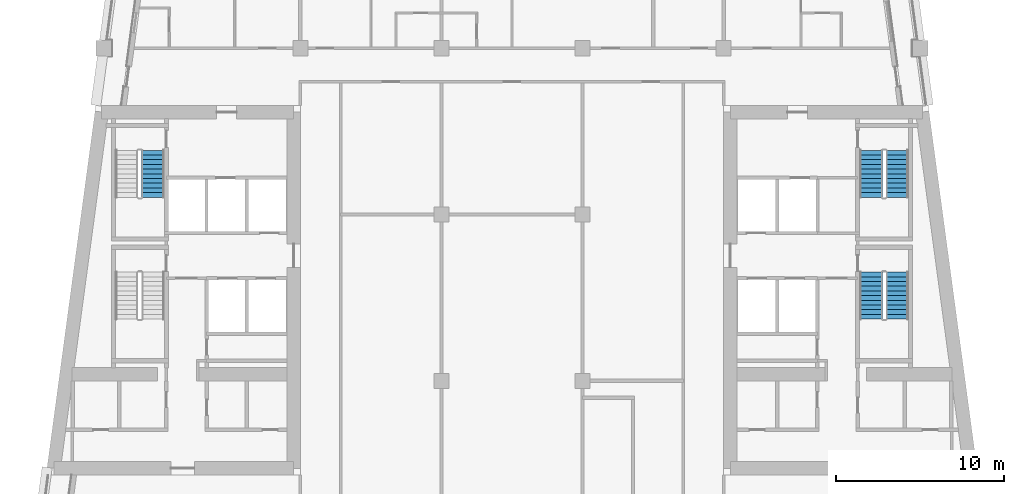
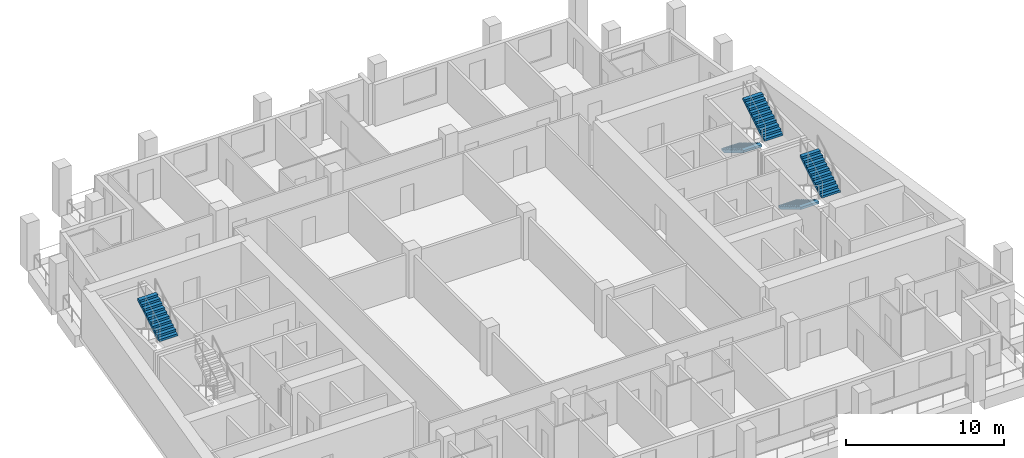
# One storey, part 8 of 13: 5 stair flights, 3 elements without a shape of their own.
"""IFC4 building model written with IfcOpenShell, lengths in metres."""

import ifcopenshell
import ifcopenshell.guid

model = None  # the IFC model being written
_history = None  # IfcOwnerHistory: only IFC2X3 demands one
_inside = {}  # id of a spatial element -> (the spatial element, [elements in it])
_under = {}  # id of a project, library or spatial element -> (it, [spatial elements below it])
_declared = {}  # id of a project -> (the project, [libraries it declares])
_typed = {}  # id of a type object -> (the type object, [elements of that type])
_made_of = {}  # id of a material, layer set ... -> (it, [elements and type objects made of it])


def new_model(schema):
    """Start an empty IFC model of exactly this schema.

    Asked for "IFC4X3", IfcOpenShell would pick the latest addendum, in which some entities
    have other attributes; the version numbers below select the first issue.
    IFC2X3 requires an IfcOwnerHistory on every rooted entity: one is made here for all.
    """
    global model, _history
    if schema == "IFC4X3":
        model = ifcopenshell.file(schema_version=(4, 3, 0, 0))
    else:
        model = ifcopenshell.file(schema=schema)
    _inside.clear()
    _under.clear()
    _declared.clear()
    _typed.clear()
    _made_of.clear()
    _history = None
    if model.schema == "IFC2X3":
        org = make("IfcOrganization", Name="unknown")
        user = make(
            "IfcPersonAndOrganization",
            ThePerson=make("IfcPerson", FamilyName="unknown"),
            TheOrganization=org,
        )
        app = make(
            "IfcApplication",
            ApplicationDeveloper=org,
            Version="unknown",
            ApplicationFullName="unknown",
            ApplicationIdentifier="unknown",
        )
        _history = make(
            "IfcOwnerHistory",
            OwningUser=user,
            OwningApplication=app,
            ChangeAction="ADDED",
            CreationDate=0,
        )
    return model


def make(cls, **values):
    """One entity of the class cls with the attributes given. An attribute that is None is left unset."""
    return model.create_entity(
        cls, **{name: value for name, value in values.items() if value is not None}
    )


def rooted(cls, **values):
    """An entity with a GlobalId (a new one), such as an element, a storey or a relation."""
    return make(cls, GlobalId=ifcopenshell.guid.new(), OwnerHistory=_history, **values)


def si_unit(unit_type, name, prefix=None):
    """IfcSIUnit, for example si_unit("LENGTHUNIT", "METRE", prefix="MILLI")."""
    return make("IfcSIUnit", UnitType=unit_type, Prefix=prefix, Name=name)


def assignment(units):
    """IfcUnitAssignment: the units of a project."""
    return None if units is None else make("IfcUnitAssignment", Units=units)


def point(xyz):
    """IfcCartesianPoint."""
    return None if xyz is None else make("IfcCartesianPoint", Coordinates=xyz)


def direction(xyz):
    """IfcDirection."""
    return None if xyz is None else make("IfcDirection", DirectionRatios=xyz)


def frame(location, z_axis=None, x_axis=None):
    """IfcAxis2Placement3D, a coordinate frame: its origin and axes. An axis left out is left unset."""
    return make(
        "IfcAxis2Placement3D",
        Location=point(location),
        Axis=direction(z_axis),
        RefDirection=direction(x_axis),
    )


def origin():
    """The frame at (0, 0, 0) with its axes left unset."""
    return frame((0.0, 0.0, 0.0))


def place(relative_to, where):
    """IfcLocalPlacement: puts the frame where relative to a parent placement (None: the world)."""
    return make(
        "IfcLocalPlacement", PlacementRelTo=relative_to, RelativePlacement=where
    )


def context(
    kind, dimensions, precision=None, world=None, true_north=None, identifier=None
):
    """IfcGeometricRepresentationContext, for example the 3D "Model" context."""
    return make(
        "IfcGeometricRepresentationContext",
        ContextIdentifier=identifier,
        ContextType=kind,
        CoordinateSpaceDimension=dimensions,
        Precision=precision,
        WorldCoordinateSystem=world,
        TrueNorth=true_north,
    )


def subcontext(parent, identifier, kind, view, scale=None):
    """IfcGeometricRepresentationSubContext, for example "Body" below "Model"."""
    return make(
        "IfcGeometricRepresentationSubContext",
        ContextIdentifier=identifier,
        ContextType=kind,
        ParentContext=parent,
        TargetScale=scale,
        TargetView=view,
    )


def project(units=None, contexts=None):
    """IfcProject with its units and contexts."""
    return rooted(
        "IfcProject",
        Name="project",
        RepresentationContexts=contexts,
        UnitsInContext=assignment(units),
    )


def spatial(cls, under=None, at=None, **own):
    """A site, building, storey or space (cls), placed at a placement, below another one or the project."""
    s = rooted(cls, ObjectPlacement=at, **own)
    if under is not None:
        _under.setdefault(under.id(), (under, []))[1].append(s)
    return s


def polyline(points):
    """IfcPolyline through the points."""
    return make("IfcPolyline", Points=[point(p) for p in points])


def outline(outer, holes=None, kind="AREA"):
    """IfcArbitraryClosedProfileDef: a profile drawn as a closed curve; with holes, ...WithVoids."""
    if holes is None:
        return make("IfcArbitraryClosedProfileDef", ProfileType=kind, OuterCurve=outer)
    return make(
        "IfcArbitraryProfileDefWithVoids",
        ProfileType=kind,
        OuterCurve=outer,
        InnerCurves=holes,
    )


def extrude(swept, where, along, depth):
    """IfcExtrudedAreaSolid: the profile swept, set in the frame where, extruded along a direction by depth."""
    return make(
        "IfcExtrudedAreaSolid",
        SweptArea=swept,
        Position=where,
        ExtrudedDirection=direction(along),
        Depth=depth,
    )


def shape(context_of_items, identifier, shape_type, items):
    """IfcShapeRepresentation: the items that make up one representation, for example the "Body"."""
    return make(
        "IfcShapeRepresentation",
        ContextOfItems=context_of_items,
        RepresentationIdentifier=identifier,
        RepresentationType=shape_type,
        Items=items,
    )


def material(Name=None, Category=None):
    """IfcMaterial."""
    return make("IfcMaterial", Name=Name, Category=Category)


def made_of(thing, what):
    """Note that an element or type object is made of a material, layer set ...; save() writes the relation."""
    if what is not None:
        _made_of.setdefault(what.id(), (what, []))[1].append(thing)
    return thing


def type_object(cls, material=None, **own):
    """A type object (cls), such as IfcWallType, which elements share."""
    return made_of(rooted(cls, **own), material)


def element(
    cls,
    number,
    at=None,
    inside=None,
    cuts=None,
    type_object=None,
    material=None,
    context=None,
    identifier="Body",
    shape_type=None,
    held_by="IfcProductDefinitionShape",
    body=None,
    shapes=None,
    **own,
):
    """One element of the class cls, such as IfcWall. Its Tag is "e" and its number.

    at: its placement. inside: the storey or other place that contains it. cuts: it is an
    opening in that element (IfcRelVoidsElement). A single representation is given by context,
    identifier, shape_type and body (its items); several are given by shapes. held_by: the class
    of the entity that holds the representations. save() writes the other relations.
    """
    e = rooted(cls, Tag="e%d" % number, ObjectPlacement=at, **own)
    if body is not None:
        shapes = [shape(context, identifier, shape_type, body)]
    if shapes is not None:
        e.Representation = make(held_by, Representations=shapes)
    if inside is not None:
        _inside.setdefault(inside.id(), (inside, []))[1].append(e)
    if cuts is not None:
        rooted(
            "IfcRelVoidsElement", RelatingBuildingElement=cuts, RelatedOpeningElement=e
        )
    if type_object is not None:
        _typed.setdefault(type_object.id(), (type_object, []))[1].append(e)
    return made_of(e, material)


def aggregate(whole, parts):
    """IfcRelAggregates: a whole, such as a stair, and the parts it consists of."""
    return rooted("IfcRelAggregates", RelatingObject=whole, RelatedObjects=parts)


def save(model, path):
    """Write the relations noted so far, then the file.

    IfcRelAggregates (storeys below a building ...), IfcRelContainedInSpatialStructure (elements
    in a storey), IfcRelDefinesByType, IfcRelAssociatesMaterial and IfcRelDeclares: one each for
    every whole, place, type object, material and project.
    """
    for whole, parts in _under.values():
        aggregate(whole, parts)
    for where, things in _inside.values():
        rooted(
            "IfcRelContainedInSpatialStructure",
            RelatedElements=things,
            RelatingStructure=where,
        )
    for kind, things in _typed.values():
        rooted("IfcRelDefinesByType", RelatedObjects=things, RelatingType=kind)
    for what, things in _made_of.values():
        rooted("IfcRelAssociatesMaterial", RelatedObjects=things, RelatingMaterial=what)
    for by, libraries in _declared.values():
        rooted("IfcRelDeclares", RelatingContext=by, RelatedDefinitions=libraries)
    model.write(path)


model = new_model("IFC4")

# Units and contexts
model_context = context("Model", 3, precision=1e-05, world=origin(), true_north=direction((0.0, 1.0)))
body_context = subcontext(model_context, "Body", "Model", "MODEL_VIEW")
ifc_project = project(units=[si_unit("LENGTHUNIT", "METRE"), si_unit("AREAUNIT", "SQUARE_METRE"), si_unit("VOLUMEUNIT", "CUBIC_METRE"), si_unit("PLANEANGLEUNIT", "RADIAN"), si_unit("MASSUNIT", "GRAM", prefix="KILO")], contexts=[model_context])

# Site, building, storey
site_placement = place(None, origin())
site = spatial("IfcSite", under=ifc_project, at=site_placement, CompositionType="ELEMENT")
building_placement = place(site_placement, origin())
building = spatial("IfcBuilding", under=site, at=building_placement, Name="Candeia Pilgrim Tower and Theatre", CompositionType="ELEMENT")
storey_placement = place(building_placement, frame((0.0, 0.0, 242.89990234375)))
storey = spatial("IfcBuildingStorey", under=building, at=storey_placement, Name="L59", CompositionType="ELEMENT", Elevation=242.89990234375)

# Stair, stair flight
ifc_material = material(Name="Concrete C40/50", Category="concrete")
stair_type = type_object("IfcStairType", Name="ST-TWR dog-leg escape stair", PredefinedType="HALF_TURN_STAIR", material=ifc_material)
stair_1_placement = place(storey_placement, origin())
stair_1 = element("IfcStair", 1, at=stair_1_placement, inside=storey, type_object=stair_type, Name="L59 Escape stair ST2", PredefinedType="HALF_TURN_STAIR")
stair_flight_type = type_object("IfcStairFlightType", Name="SFL-RC stair flight", PredefinedType="STRAIGHT", material=ifc_material)
stair_flight_1_placement = place(storey_placement, frame((92.027099609375, 126.925048828125, 1.85009765625), z_axis=(0.0, 0.0, 1.0), x_axis=(0.0, 1.0, 0.0)))
stair_flight_1 = element("IfcStairFlight", 2, at=stair_flight_1_placement, type_object=stair_flight_type, Name="ST2 flight 2", NumberOfRisers=11, NumberOfTreads=10, PredefinedType="STRAIGHT", RiserHeight=0.168181818, TreadLength=0.28, context=body_context, shape_type="SweptSolid", body=[
    extrude(outline(polyline([(0.0, 0.0), (0.0, 0.168212890625), (0.280029296875, 0.168212890625), (0.280029296875, 0.33642578125), (0.56005859375, 0.33642578125), (0.56005859375, 0.504638671875), (0.840087890625, 0.504638671875), (0.840087890625, 0.672607421875), (1.1201171875, 0.672607421875), (1.1201171875, 0.8408203125), (1.39990234375, 0.8408203125), (1.39990234375, 1.009033203125), (1.679931640625, 1.009033203125), (1.679931640625, 1.17724609375), (1.9599609375, 1.17724609375), (1.9599609375, 1.345458984375), (2.239990234375, 1.345458984375), (2.239990234375, 1.513671875), (2.52001953125, 1.513671875), (2.52001953125, 1.681884765625), (2.800048828125, 1.681884765625), (2.800048828125, 1.85009765625), (2.800048828125, 1.5068359375), (0.291015625, 0.0), (0.0, 0.0)])), frame((0.0, 0.675048828125, 0.0), z_axis=(0.0, -1.0, 0.0), x_axis=(1.0, 0.0, 0.0)), (0.0, 0.0, 1.0), 1.35009765625),
])
aggregate(stair_1, [stair_flight_1])

# Stair, stair flights
stair_2_placement = place(storey_placement, origin())
stair_2 = element("IfcStair", 3, at=stair_2_placement, inside=storey, type_object=stair_type, Name="L59 Escape stair ST3", PredefinedType="HALF_TURN_STAIR")
stair_flight_2_placement = place(storey_placement, frame((134.77294921875, 122.47509765625, 0.0), z_axis=(0.0, 0.0, 1.0), x_axis=(0.0, -1.0, 0.0)))
stair_flight_2 = element("IfcStairFlight", 4, at=stair_flight_2_placement, type_object=stair_flight_type, Name="ST3 flight 1", NumberOfRisers=11, NumberOfTreads=10, PredefinedType="STRAIGHT", RiserHeight=0.168181818, TreadLength=0.28, context=body_context, shape_type="SweptSolid", body=[
    extrude(outline(polyline([(0.0, 0.0), (0.0, 0.168212890625), (0.280029296875, 0.168212890625), (0.280029296875, 0.33642578125), (0.56005859375, 0.33642578125), (0.56005859375, 0.504638671875), (0.840087890625, 0.504638671875), (0.840087890625, 0.672607421875), (1.1201171875, 0.672607421875), (1.1201171875, 0.8408203125), (1.39990234375, 0.8408203125), (1.39990234375, 1.009033203125), (1.679931640625, 1.009033203125), (1.679931640625, 1.17724609375), (1.9599609375, 1.17724609375), (1.9599609375, 1.345458984375), (2.239990234375, 1.345458984375), (2.239990234375, 1.513671875), (2.52001953125, 1.513671875), (2.52001953125, 1.681884765625), (2.800048828125, 1.681884765625), (2.800048828125, 1.85009765625), (2.800048828125, 1.5068359375), (0.291015625, 0.0), (0.0, 0.0)])), frame((0.0, 0.675048828125, 0.0), z_axis=(0.0, -1.0, 0.0), x_axis=(1.0, 0.0, 0.0)), (0.0, 0.0, 1.0), 1.35009765625),
])
stair_flight_3_placement = place(storey_placement, frame((136.322998046875, 119.675048828125, 1.85009765625), z_axis=(0.0, 0.0, 1.0), x_axis=(0.0, 1.0, 0.0)))
stair_flight_3 = element("IfcStairFlight", 5, at=stair_flight_3_placement, type_object=stair_flight_type, Name="ST3 flight 2", NumberOfRisers=11, NumberOfTreads=10, PredefinedType="STRAIGHT", RiserHeight=0.168181818, TreadLength=0.28, context=body_context, shape_type="SweptSolid", body=[
    extrude(outline(polyline([(0.0, 0.0), (0.0, 0.168212890625), (0.280029296875, 0.168212890625), (0.280029296875, 0.33642578125), (0.56005859375, 0.33642578125), (0.56005859375, 0.504638671875), (0.840087890625, 0.504638671875), (0.840087890625, 0.672607421875), (1.1201171875, 0.672607421875), (1.1201171875, 0.8408203125), (1.39990234375, 0.8408203125), (1.39990234375, 1.009033203125), (1.679931640625, 1.009033203125), (1.679931640625, 1.17724609375), (1.9599609375, 1.17724609375), (1.9599609375, 1.345458984375), (2.239990234375, 1.345458984375), (2.239990234375, 1.513671875), (2.52001953125, 1.513671875), (2.52001953125, 1.681884765625), (2.800048828125, 1.681884765625), (2.800048828125, 1.85009765625), (2.800048828125, 1.5068359375), (0.291015625, 0.0), (0.0, 0.0)])), frame((0.0, 0.675048828125, 0.0), z_axis=(0.0, -1.0, 0.0), x_axis=(1.0, 0.0, 0.0)), (0.0, 0.0, 1.0), 1.35009765625),
])
aggregate(stair_2, [stair_flight_2, stair_flight_3])

stair_3_placement = place(storey_placement, origin())
stair_3 = element("IfcStair", 6, at=stair_3_placement, inside=storey, type_object=stair_type, Name="L59 Escape stair ST4", PredefinedType="HALF_TURN_STAIR")
stair_flight_4_placement = place(storey_placement, frame((134.77294921875, 129.72509765625, 0.0), z_axis=(0.0, 0.0, 1.0), x_axis=(0.0, -1.0, 0.0)))
stair_flight_4 = element("IfcStairFlight", 7, at=stair_flight_4_placement, type_object=stair_flight_type, Name="ST4 flight 1", NumberOfRisers=11, NumberOfTreads=10, PredefinedType="STRAIGHT", RiserHeight=0.168181818, TreadLength=0.28, context=body_context, shape_type="SweptSolid", body=[
    extrude(outline(polyline([(0.0, 0.0), (0.0, 0.168212890625), (0.280029296875, 0.168212890625), (0.280029296875, 0.33642578125), (0.56005859375, 0.33642578125), (0.56005859375, 0.504638671875), (0.840087890625, 0.504638671875), (0.840087890625, 0.672607421875), (1.1201171875, 0.672607421875), (1.1201171875, 0.8408203125), (1.39990234375, 0.8408203125), (1.39990234375, 1.009033203125), (1.679931640625, 1.009033203125), (1.679931640625, 1.17724609375), (1.9599609375, 1.17724609375), (1.9599609375, 1.345458984375), (2.239990234375, 1.345458984375), (2.239990234375, 1.513671875), (2.52001953125, 1.513671875), (2.52001953125, 1.681884765625), (2.800048828125, 1.681884765625), (2.800048828125, 1.85009765625), (2.800048828125, 1.5068359375), (0.291015625, 0.0), (0.0, 0.0)])), frame((0.0, 0.675048828125, 0.0), z_axis=(0.0, -1.0, 0.0), x_axis=(1.0, 0.0, 0.0)), (0.0, 0.0, 1.0), 1.35009765625),
])
stair_flight_5_placement = place(storey_placement, frame((136.322998046875, 126.925048828125, 1.85009765625), z_axis=(0.0, 0.0, 1.0), x_axis=(0.0, 1.0, 0.0)))
stair_flight_5 = element("IfcStairFlight", 8, at=stair_flight_5_placement, type_object=stair_flight_type, Name="ST4 flight 2", NumberOfRisers=11, NumberOfTreads=10, PredefinedType="STRAIGHT", RiserHeight=0.168181818, TreadLength=0.28, context=body_context, shape_type="SweptSolid", body=[
    extrude(outline(polyline([(0.0, 0.0), (0.0, 0.168212890625), (0.280029296875, 0.168212890625), (0.280029296875, 0.33642578125), (0.56005859375, 0.33642578125), (0.56005859375, 0.504638671875), (0.840087890625, 0.504638671875), (0.840087890625, 0.672607421875), (1.1201171875, 0.672607421875), (1.1201171875, 0.8408203125), (1.39990234375, 0.8408203125), (1.39990234375, 1.009033203125), (1.679931640625, 1.009033203125), (1.679931640625, 1.17724609375), (1.9599609375, 1.17724609375), (1.9599609375, 1.345458984375), (2.239990234375, 1.345458984375), (2.239990234375, 1.513671875), (2.52001953125, 1.513671875), (2.52001953125, 1.681884765625), (2.800048828125, 1.681884765625), (2.800048828125, 1.85009765625), (2.800048828125, 1.5068359375), (0.291015625, 0.0), (0.0, 0.0)])), frame((0.0, 0.675048828125, 0.0), z_axis=(0.0, -1.0, 0.0), x_axis=(1.0, 0.0, 0.0)), (0.0, 0.0, 1.0), 1.35009765625),
])
aggregate(stair_3, [stair_flight_4, stair_flight_5])

save(model, "model.ifc")
